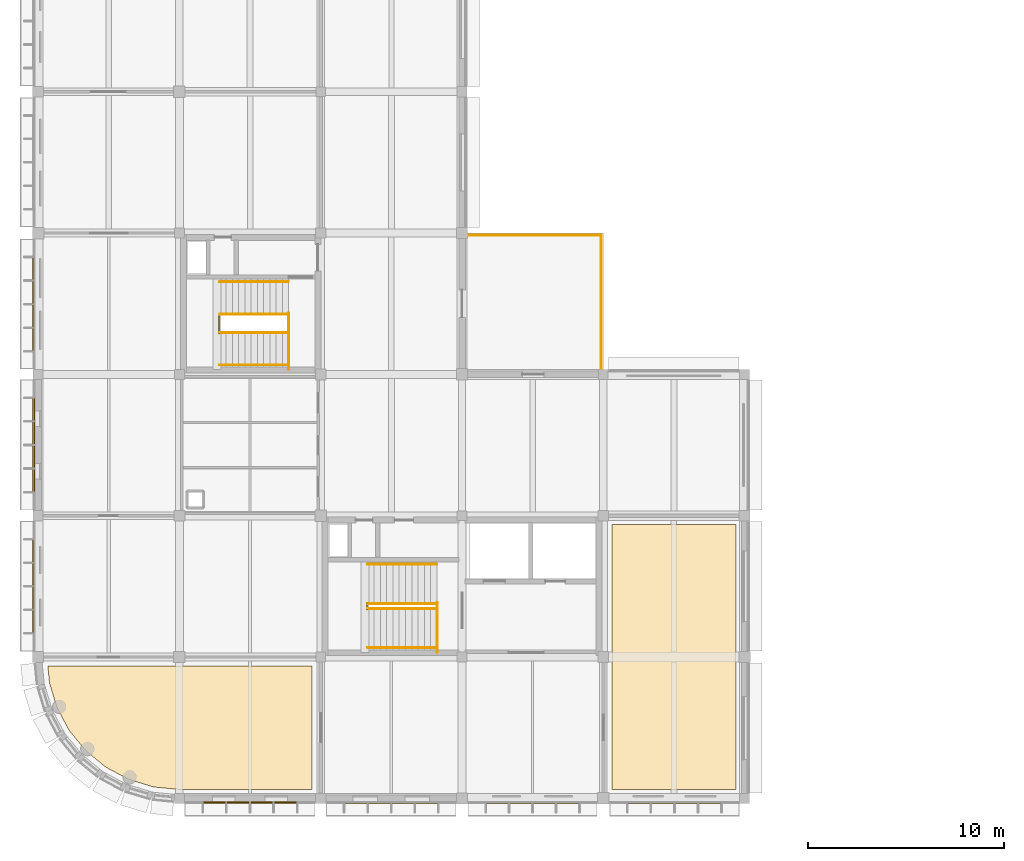
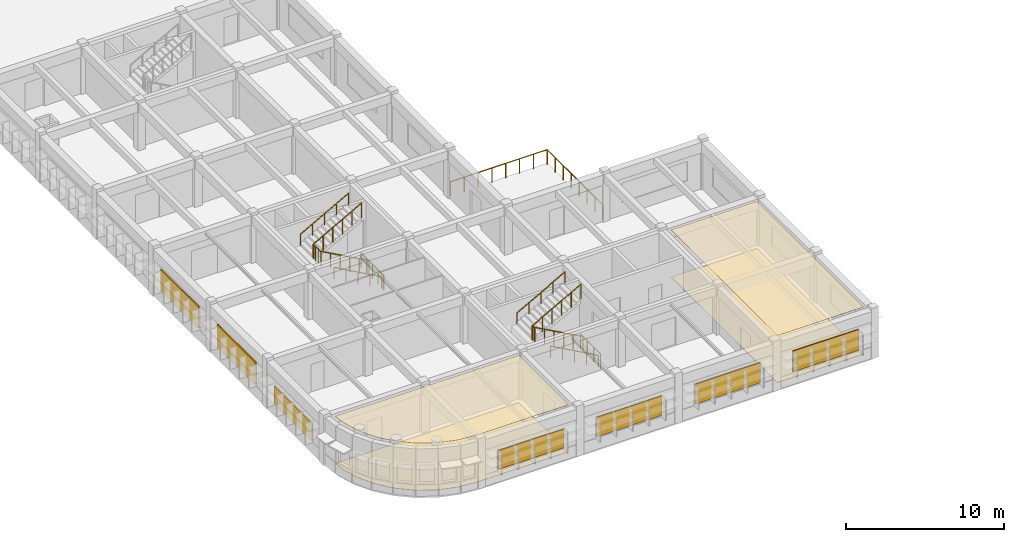
# One storey, part 20 of 22: 14 railings, 7 shading devices, 4 coverings.
"""IFC4 building model written with IfcOpenShell, lengths in metres."""

import ifcopenshell
import ifcopenshell.guid

model = None  # the IFC model being written
_history = None  # IfcOwnerHistory: only IFC2X3 demands one
_inside = {}  # id of a spatial element -> (the spatial element, [elements in it])
_under = {}  # id of a project, library or spatial element -> (it, [spatial elements below it])
_declared = {}  # id of a project -> (the project, [libraries it declares])
_typed = {}  # id of a type object -> (the type object, [elements of that type])
_made_of = {}  # id of a material, layer set ... -> (it, [elements and type objects made of it])


def new_model(schema):
    """Start an empty IFC model of exactly this schema.

    Asked for "IFC4X3", IfcOpenShell would pick the latest addendum, in which some entities
    have other attributes; the version numbers below select the first issue.
    IFC2X3 requires an IfcOwnerHistory on every rooted entity: one is made here for all.
    """
    global model, _history
    if schema == "IFC4X3":
        model = ifcopenshell.file(schema_version=(4, 3, 0, 0))
    else:
        model = ifcopenshell.file(schema=schema)
    _inside.clear()
    _under.clear()
    _declared.clear()
    _typed.clear()
    _made_of.clear()
    _history = None
    if model.schema == "IFC2X3":
        org = make("IfcOrganization", Name="unknown")
        user = make(
            "IfcPersonAndOrganization",
            ThePerson=make("IfcPerson", FamilyName="unknown"),
            TheOrganization=org,
        )
        app = make(
            "IfcApplication",
            ApplicationDeveloper=org,
            Version="unknown",
            ApplicationFullName="unknown",
            ApplicationIdentifier="unknown",
        )
        _history = make(
            "IfcOwnerHistory",
            OwningUser=user,
            OwningApplication=app,
            ChangeAction="ADDED",
            CreationDate=0,
        )
    return model


def make(cls, **values):
    """One entity of the class cls with the attributes given. An attribute that is None is left unset."""
    return model.create_entity(
        cls, **{name: value for name, value in values.items() if value is not None}
    )


def rooted(cls, **values):
    """An entity with a GlobalId (a new one), such as an element, a storey or a relation."""
    return make(cls, GlobalId=ifcopenshell.guid.new(), OwnerHistory=_history, **values)


def si_unit(unit_type, name, prefix=None):
    """IfcSIUnit, for example si_unit("LENGTHUNIT", "METRE", prefix="MILLI")."""
    return make("IfcSIUnit", UnitType=unit_type, Prefix=prefix, Name=name)


def assignment(units):
    """IfcUnitAssignment: the units of a project."""
    return None if units is None else make("IfcUnitAssignment", Units=units)


def point(xyz):
    """IfcCartesianPoint."""
    return None if xyz is None else make("IfcCartesianPoint", Coordinates=xyz)


def direction(xyz):
    """IfcDirection."""
    return None if xyz is None else make("IfcDirection", DirectionRatios=xyz)


def frame(location, z_axis=None, x_axis=None):
    """IfcAxis2Placement3D, a coordinate frame: its origin and axes. An axis left out is left unset."""
    return make(
        "IfcAxis2Placement3D",
        Location=point(location),
        Axis=direction(z_axis),
        RefDirection=direction(x_axis),
    )


def frame_2d(location, x_axis=None):
    """IfcAxis2Placement2D, a coordinate frame in the plane: its origin and x axis."""
    return make(
        "IfcAxis2Placement2D", Location=point(location), RefDirection=direction(x_axis)
    )


def origin():
    """The frame at (0, 0, 0) with its axes left unset."""
    return frame((0.0, 0.0, 0.0))


def origin_2d():
    """The frame at (0, 0) in the plane with its x axis left unset."""
    return frame_2d((0.0, 0.0))


def place(relative_to, where):
    """IfcLocalPlacement: puts the frame where relative to a parent placement (None: the world)."""
    return make(
        "IfcLocalPlacement", PlacementRelTo=relative_to, RelativePlacement=where
    )


def context(
    kind, dimensions, precision=None, world=None, true_north=None, identifier=None
):
    """IfcGeometricRepresentationContext, for example the 3D "Model" context."""
    return make(
        "IfcGeometricRepresentationContext",
        ContextIdentifier=identifier,
        ContextType=kind,
        CoordinateSpaceDimension=dimensions,
        Precision=precision,
        WorldCoordinateSystem=world,
        TrueNorth=true_north,
    )


def subcontext(parent, identifier, kind, view, scale=None):
    """IfcGeometricRepresentationSubContext, for example "Body" below "Model"."""
    return make(
        "IfcGeometricRepresentationSubContext",
        ContextIdentifier=identifier,
        ContextType=kind,
        ParentContext=parent,
        TargetScale=scale,
        TargetView=view,
    )


def project(units=None, contexts=None):
    """IfcProject with its units and contexts."""
    return rooted(
        "IfcProject",
        Name="project",
        RepresentationContexts=contexts,
        UnitsInContext=assignment(units),
    )


def spatial(cls, under=None, at=None, **own):
    """A site, building, storey or space (cls), placed at a placement, below another one or the project."""
    s = rooted(cls, ObjectPlacement=at, **own)
    if under is not None:
        _under.setdefault(under.id(), (under, []))[1].append(s)
    return s


def polyline(points):
    """IfcPolyline through the points."""
    return make("IfcPolyline", Points=[point(p) for p in points])


def profile(cls, at=None, kind="AREA", **sizes):
    """A parametric profile (cls). Its sizes go by their IFC names, for example OverallWidth=200.0."""
    return make(cls, ProfileType=kind, Position=at, **sizes)


def rectangle(**sizes):
    """IfcRectangleProfileDef."""
    return profile("IfcRectangleProfileDef", **sizes)


def circle(**sizes):
    """IfcCircleProfileDef."""
    return profile("IfcCircleProfileDef", **sizes)


def outline(outer, holes=None, kind="AREA"):
    """IfcArbitraryClosedProfileDef: a profile drawn as a closed curve; with holes, ...WithVoids."""
    if holes is None:
        return make("IfcArbitraryClosedProfileDef", ProfileType=kind, OuterCurve=outer)
    return make(
        "IfcArbitraryProfileDefWithVoids",
        ProfileType=kind,
        OuterCurve=outer,
        InnerCurves=holes,
    )


def extrude(swept, where, along, depth):
    """IfcExtrudedAreaSolid: the profile swept, set in the frame where, extruded along a direction by depth."""
    return make(
        "IfcExtrudedAreaSolid",
        SweptArea=swept,
        Position=where,
        ExtrudedDirection=direction(along),
        Depth=depth,
    )


def shape(context_of_items, identifier, shape_type, items):
    """IfcShapeRepresentation: the items that make up one representation, for example the "Body"."""
    return make(
        "IfcShapeRepresentation",
        ContextOfItems=context_of_items,
        RepresentationIdentifier=identifier,
        RepresentationType=shape_type,
        Items=items,
    )


def material(Name=None, Category=None):
    """IfcMaterial."""
    return make("IfcMaterial", Name=Name, Category=Category)


def layer(
    of_material, thickness, ventilated=None, Name=None, Category=None, Priority=None
):
    """IfcMaterialLayer: one layer of a wall or slab, of a material (None: an air gap)."""
    return make(
        "IfcMaterialLayer",
        Material=of_material,
        LayerThickness=thickness,
        IsVentilated=ventilated,
        Name=Name,
        Category=Category,
        Priority=Priority,
    )


def layer_set(layers, Name=None):
    """IfcMaterialLayerSet."""
    return make("IfcMaterialLayerSet", MaterialLayers=layers, LayerSetName=Name)


def made_of(thing, what):
    """Note that an element or type object is made of a material, layer set ...; save() writes the relation."""
    if what is not None:
        _made_of.setdefault(what.id(), (what, []))[1].append(thing)
    return thing


def type_object(cls, material=None, **own):
    """A type object (cls), such as IfcWallType, which elements share."""
    return made_of(rooted(cls, **own), material)


def element(
    cls,
    number,
    at=None,
    inside=None,
    cuts=None,
    type_object=None,
    material=None,
    context=None,
    identifier="Body",
    shape_type=None,
    held_by="IfcProductDefinitionShape",
    body=None,
    shapes=None,
    **own,
):
    """One element of the class cls, such as IfcWall. Its Tag is "e" and its number.

    at: its placement. inside: the storey or other place that contains it. cuts: it is an
    opening in that element (IfcRelVoidsElement). A single representation is given by context,
    identifier, shape_type and body (its items); several are given by shapes. held_by: the class
    of the entity that holds the representations. save() writes the other relations.
    """
    e = rooted(cls, Tag="e%d" % number, ObjectPlacement=at, **own)
    if body is not None:
        shapes = [shape(context, identifier, shape_type, body)]
    if shapes is not None:
        e.Representation = make(held_by, Representations=shapes)
    if inside is not None:
        _inside.setdefault(inside.id(), (inside, []))[1].append(e)
    if cuts is not None:
        rooted(
            "IfcRelVoidsElement", RelatingBuildingElement=cuts, RelatedOpeningElement=e
        )
    if type_object is not None:
        _typed.setdefault(type_object.id(), (type_object, []))[1].append(e)
    return made_of(e, material)


def aggregate(whole, parts):
    """IfcRelAggregates: a whole, such as a stair, and the parts it consists of."""
    return rooted("IfcRelAggregates", RelatingObject=whole, RelatedObjects=parts)


def save(model, path):
    """Write the relations noted so far, then the file.

    IfcRelAggregates (storeys below a building ...), IfcRelContainedInSpatialStructure (elements
    in a storey), IfcRelDefinesByType, IfcRelAssociatesMaterial and IfcRelDeclares: one each for
    every whole, place, type object, material and project.
    """
    for whole, parts in _under.values():
        aggregate(whole, parts)
    for where, things in _inside.values():
        rooted(
            "IfcRelContainedInSpatialStructure",
            RelatedElements=things,
            RelatingStructure=where,
        )
    for kind, things in _typed.values():
        rooted("IfcRelDefinesByType", RelatedObjects=things, RelatingType=kind)
    for what, things in _made_of.values():
        rooted("IfcRelAssociatesMaterial", RelatedObjects=things, RelatingMaterial=what)
    for by, libraries in _declared.values():
        rooted("IfcRelDeclares", RelatingContext=by, RelatedDefinitions=libraries)
    model.write(path)


model = new_model("IFC4")

# Units and contexts
model_context = context("Model", 3, precision=1e-05, world=origin(), true_north=direction((0.0, 1.0)))
body_context = subcontext(model_context, "Body", "Model", "MODEL_VIEW")
ifc_project = project(units=[si_unit("LENGTHUNIT", "METRE"), si_unit("AREAUNIT", "SQUARE_METRE"), si_unit("VOLUMEUNIT", "CUBIC_METRE"), si_unit("PLANEANGLEUNIT", "RADIAN"), si_unit("MASSUNIT", "GRAM", prefix="KILO")], contexts=[model_context])

# Site, building, storey
site_placement = place(None, origin())
site = spatial("IfcSite", under=ifc_project, at=site_placement, CompositionType="ELEMENT")
building_placement = place(site_placement, origin())
building = spatial("IfcBuilding", under=site, at=building_placement, Name="Thalmaran Polytechnic", CompositionType="ELEMENT")
storey_placement = place(building_placement, frame((0.0, 0.0, 22.800048828125)))
storey = spatial("IfcBuildingStorey", under=building, at=storey_placement, Name="L05", CompositionType="ELEMENT", Elevation=22.800048828125)

# Coverings
ifc_material_1 = material(Name="Acoustic mineral fibre ceiling")
ifc_layer_1 = layer(ifc_material_1, 0.02490234375, Name="Acoustic mineral fibre ceiling")
ifc_layer_set_1 = layer_set([ifc_layer_1], Name="Acoustic mineral fibre ceiling")
covering_type_1 = type_object("IfcCoveringType", Name="CV-CL01", PredefinedType="CEILING", material=ifc_layer_set_1)
covering_1_placement = place(storey_placement, frame((0.0, 0.0, 3.64501953125)))
element("IfcCovering", 1, at=covering_1_placement, inside=storey, type_object=covering_type_1, Name="Structural Models Design Studio L05-01 Acoustic Ceiling", PredefinedType="CEILING", context=body_context, shape_type="SweptSolid", body=[
    extrude(outline(polyline([(5.883544921875, 0.581787109375), (4.61767578125, 0.9658203125), (3.451171875, 1.58935546875), (2.428466796875, 2.428466796875), (1.58935546875, 3.451171875), (0.9658203125, 4.61767578125), (0.581787109375, 5.883544921875), (0.49658203125, 6.75), (13.949951171875, 6.75), (13.949951171875, 0.449951171875), (7.22216796875, 0.449951171875), (5.883544921875, 0.581787109375)])), origin(), (0.0, 0.0, 1.0), 0.02490234375),
])
covering_2_placement = place(storey_placement, frame((0.0, 0.0, 3.64501953125)))
element("IfcCovering", 2, at=covering_2_placement, inside=storey, type_object=covering_type_1, Name="Environmental Engineering Laboratory L05-02 Acoustic Ceiling", PredefinedType="CEILING", context=body_context, shape_type="SweptSolid", body=[
    extrude(outline(polyline([(35.550048828125, 0.449951171875), (29.25, 0.449951171875), (29.25, 13.949951171875), (35.550048828125, 13.949951171875), (35.550048828125, 0.449951171875)])), origin(), (0.0, 0.0, 1.0), 0.02490234375),
])
ifc_material_2 = material(Name="Polished terrazzo and epoxy lab flooring")
ifc_layer_2 = layer(ifc_material_2, 0.02001953125, Name="Polished terrazzo and epoxy lab flooring")
ifc_layer_set_2 = layer_set([ifc_layer_2], Name="Polished terrazzo and epoxy lab flooring")
covering_type_2 = type_object("IfcCoveringType", Name="CV-FL01", PredefinedType="FLOORING", material=ifc_layer_set_2)
covering_3_placement = place(storey_placement, origin())
element("IfcCovering", 3, at=covering_3_placement, inside=storey, type_object=covering_type_2, Name="Structural Models Design Studio L05-01 Specialist Finish Flooring", PredefinedType="FLOORING", context=body_context, shape_type="SweptSolid", body=[
    extrude(outline(polyline([(5.883544921875, 0.581787109375), (4.61767578125, 0.9658203125), (3.451171875, 1.58935546875), (2.428466796875, 2.428466796875), (1.58935546875, 3.451171875), (0.9658203125, 4.61767578125), (0.581787109375, 5.883544921875), (0.49658203125, 6.75), (13.949951171875, 6.75), (13.949951171875, 0.449951171875), (7.22216796875, 0.449951171875), (5.883544921875, 0.581787109375)])), origin(), (0.0, 0.0, 1.0), 0.02001953125),
])
covering_4_placement = place(storey_placement, origin())
element("IfcCovering", 4, at=covering_4_placement, inside=storey, type_object=covering_type_2, Name="Environmental Engineering Laboratory L05-02 Specialist Finish Flooring", PredefinedType="FLOORING", context=body_context, shape_type="SweptSolid", body=[
    extrude(outline(polyline([(35.550048828125, 0.449951171875), (29.25, 0.449951171875), (29.25, 13.949951171875), (35.550048828125, 13.949951171875), (35.550048828125, 0.449951171875)])), origin(), (0.0, 0.0, 1.0), 0.02001953125),
])

# Railings
ifc_material_3 = material(Name="Stainless steel 316 and laminated glass", Category="steel")
railing_type_1 = type_object("IfcRailingType", Name="RL-BL01", PredefinedType="BALUSTRADE", material=ifc_material_3)
railing_1_placement = place(storey_placement, frame((21.610107421875, 28.699951171875, 0.0)))
element("IfcRailing", 5, at=railing_1_placement, inside=storey, type_object=railing_type_1, Name="Terrace Balustrade Guard L05-1-3", PredefinedType="BALUSTRADE", context=body_context, shape_type="SweptSolid", body=[
    extrude(circle(Radius=0.02392578125, at=origin_2d()), frame((0.0, 0.0, 1.1259765625), z_axis=(1.0, 0.0, 0.0), x_axis=(0.0, 1.0, 0.0)), (0.0, 0.0, 1.0), 7.08984375),
    extrude(circle(Radius=0.02099609375, at=origin_2d()), origin(), (0.0, 0.0, 1.0), 1.101806640625),
    extrude(circle(Radius=0.02099609375, at=origin_2d()), frame((1.012939453125, 0.0, 0.0)), (0.0, 0.0, 1.0), 1.101806640625),
    extrude(circle(Radius=0.02099609375, at=origin_2d()), frame((2.025634765625, 0.0, 0.0)), (0.0, 0.0, 1.0), 1.101806640625),
    extrude(circle(Radius=0.02099609375, at=origin_2d()), frame((3.03857421875, 0.0, 0.0)), (0.0, 0.0, 1.0), 1.101806640625),
    extrude(circle(Radius=0.02099609375, at=origin_2d()), frame((4.05126953125, 0.0, 0.0)), (0.0, 0.0, 1.0), 1.101806640625),
    extrude(circle(Radius=0.02099609375, at=origin_2d()), frame((5.064208984375, 0.0, 0.0)), (0.0, 0.0, 1.0), 1.101806640625),
    extrude(circle(Radius=0.02099609375, at=origin_2d()), frame((6.076904296875, 0.0, 0.0)), (0.0, 0.0, 1.0), 1.101806640625),
    extrude(circle(Radius=0.02099609375, at=origin_2d()), frame((7.08984375, 0.0, 0.0)), (0.0, 0.0, 1.0), 1.101806640625),
])
railing_2_placement = place(storey_placement, frame((28.699951171875, 28.699951171875, 0.0)))
element("IfcRailing", 6, at=railing_2_placement, inside=storey, type_object=railing_type_1, Name="Terrace Balustrade Guard L05-1-4", PredefinedType="BALUSTRADE", context=body_context, shape_type="SweptSolid", body=[
    extrude(circle(Radius=0.02392578125, at=origin_2d()), frame((0.0, 0.0, 1.1259765625), z_axis=(0.0, -1.0, 0.0), x_axis=(1.0, 0.0, 0.0)), (0.0, 0.0, 1.0), 7.08984375),
    extrude(circle(Radius=0.02099609375, at=origin_2d()), origin(), (0.0, 0.0, 1.0), 1.101806640625),
    extrude(circle(Radius=0.02099609375, at=origin_2d()), frame((0.0, -1.012939453125, 0.0)), (0.0, 0.0, 1.0), 1.101806640625),
    extrude(circle(Radius=0.02099609375, at=origin_2d()), frame((0.0, -2.025634765625, 0.0)), (0.0, 0.0, 1.0), 1.101806640625),
    extrude(circle(Radius=0.02099609375, at=origin_2d()), frame((0.0, -3.03857421875, 0.0)), (0.0, 0.0, 1.0), 1.101806640625),
    extrude(circle(Radius=0.02099609375, at=origin_2d()), frame((0.0, -4.05126953125, 0.0)), (0.0, 0.0, 1.0), 1.101806640625),
    extrude(circle(Radius=0.02099609375, at=origin_2d()), frame((0.0, -5.064208984375, 0.0)), (0.0, 0.0, 1.0), 1.101806640625),
    extrude(circle(Radius=0.02099609375, at=origin_2d()), frame((0.0, -6.076904296875, 0.0)), (0.0, 0.0, 1.0), 1.101806640625),
    extrude(circle(Radius=0.02099609375, at=origin_2d()), frame((0.0, -7.08984375, 0.0)), (0.0, 0.0, 1.0), 1.101806640625),
])
ifc_material_4 = material(Name="Stainless steel 316", Category="steel")
railing_type_2 = type_object("IfcRailingType", Name="RL-GR01", PredefinedType="GUARDRAIL", material=ifc_material_4)
railing_3_placement = place(storey_placement, frame((20.330078125, 7.449951171875, 0.0)))
element("IfcRailing", 7, at=railing_3_placement, inside=storey, type_object=railing_type_2, Name="ST1 L05 Landing Edge Guardrail", PredefinedType="GUARDRAIL", context=body_context, shape_type="SweptSolid", body=[
    extrude(circle(Radius=0.02392578125, at=origin_2d()), frame((0.0, 0.0, 1.1259765625), z_axis=(0.0, 1.0, 0.0), x_axis=(-1.0, 0.0, 0.0)), (0.0, 0.0, 1.0), 2.530029296875),
    extrude(circle(Radius=0.02099609375, at=origin_2d()), origin(), (0.0, 0.0, 1.0), 1.101806640625),
    extrude(circle(Radius=0.02099609375, at=origin_2d()), frame((0.0, 0.84326171875, 0.0)), (0.0, 0.0, 1.0), 1.101806640625),
    extrude(circle(Radius=0.02099609375, at=origin_2d()), frame((0.0, 1.686767578125, 0.0)), (0.0, 0.0, 1.0), 1.101806640625),
    extrude(circle(Radius=0.02099609375, at=origin_2d()), frame((0.0, 2.530029296875, 0.0)), (0.0, 0.0, 1.0), 1.101806640625),
])
railing_4_placement = place(storey_placement, frame((20.320068359375, 9.659912109375, 0.0)))
element("IfcRailing", 8, at=railing_4_placement, inside=storey, type_object=railing_type_2, Name="ST1 L05 Lower Flight Guardrail", PredefinedType="GUARDRAIL", context=body_context, shape_type="SweptSolid", body=[
    extrude(circle(Radius=0.02392578125, at=origin_2d()), frame((0.0, 0.0, 1.1259765625), z_axis=(-0.874749022873, 0.0, 0.484576255076), x_axis=(0.0, -1.0, 0.0)), (0.0, 0.0, 1.0), 4.02392578125),
    extrude(circle(Radius=0.02099609375, at=origin_2d()), origin(), (0.0, 0.0, 1.0), 1.101806640625),
    extrude(circle(Radius=0.02099609375, at=origin_2d()), frame((-0.7041015625, 0.0, 0.389892578125)), (0.0, 0.0, 1.0), 1.101806640625),
    extrude(circle(Radius=0.02099609375, at=origin_2d()), frame((-1.407958984375, 0.0, 0.780029296875)), (0.0, 0.0, 1.0), 1.101806640625),
    extrude(circle(Radius=0.02099609375, at=origin_2d()), frame((-2.112060546875, 0.0, 1.169921875)), (0.0, 0.0, 1.0), 1.101806640625),
    extrude(circle(Radius=0.02099609375, at=origin_2d()), frame((-2.81591796875, 0.0, 1.56005859375)), (0.0, 0.0, 1.0), 1.101806640625),
    extrude(circle(Radius=0.02099609375, at=origin_2d()), frame((-3.52001953125, 0.0, 1.949951171875)), (0.0, 0.0, 1.0), 1.101806640625),
])
railing_5_placement = place(storey_placement, frame((16.760009765625, 9.639892578125, 1.949951171875)))
element("IfcRailing", 9, at=railing_5_placement, inside=storey, type_object=railing_type_2, Name="ST1 L05 Half-Landing Well Guardrail", PredefinedType="GUARDRAIL", context=body_context, shape_type="SweptSolid", body=[
    extrude(circle(Radius=0.02392578125, at=origin_2d()), frame((0.0, 0.0, 1.1259765625), z_axis=(0.0, 1.0, 0.0), x_axis=(-1.0, 0.0, 0.0)), (0.0, 0.0, 1.0), 0.300048828125),
    extrude(circle(Radius=0.02099609375, at=origin_2d()), origin(), (0.0, 0.0, 1.0), 1.101806640625),
    extrude(circle(Radius=0.02099609375, at=origin_2d()), frame((0.0, 0.300048828125, 0.0)), (0.0, 0.0, 1.0), 1.101806640625),
])
railing_6_placement = place(storey_placement, frame((16.800048828125, 9.919921875, 1.949951171875)))
element("IfcRailing", 10, at=railing_6_placement, inside=storey, type_object=railing_type_2, Name="ST1 L05 Upper Flight Guardrail", PredefinedType="GUARDRAIL", context=body_context, shape_type="SweptSolid", body=[
    extrude(circle(Radius=0.02392578125, at=origin_2d()), frame((0.0, 0.0, 1.1259765625), z_axis=(0.874749022873, 0.0, 0.484576255076), x_axis=(0.0, 1.0, 0.0)), (0.0, 0.0, 1.0), 4.02392578125),
    extrude(circle(Radius=0.02099609375, at=origin_2d()), origin(), (0.0, 0.0, 1.0), 1.101806640625),
    extrude(circle(Radius=0.02099609375, at=origin_2d()), frame((0.7041015625, 0.0, 0.389892578125)), (0.0, 0.0, 1.0), 1.101806640625),
    extrude(circle(Radius=0.02099609375, at=origin_2d()), frame((1.407958984375, 0.0, 0.780029296875)), (0.0, 0.0, 1.0), 1.101806640625),
    extrude(circle(Radius=0.02099609375, at=origin_2d()), frame((2.112060546875, 0.0, 1.169921875)), (0.0, 0.0, 1.0), 1.101806640625),
    extrude(circle(Radius=0.02099609375, at=origin_2d()), frame((2.81591796875, 0.0, 1.56005859375)), (0.0, 0.0, 1.0), 1.101806640625),
    extrude(circle(Radius=0.02099609375, at=origin_2d()), frame((3.52001953125, 0.0, 1.949951171875)), (0.0, 0.0, 1.0), 1.101806640625),
])
railing_7_placement = place(storey_placement, frame((12.77001953125, 21.85009765625, 0.0)))
element("IfcRailing", 11, at=railing_7_placement, inside=storey, type_object=railing_type_2, Name="ST3 L05 Landing Edge Guardrail", PredefinedType="GUARDRAIL", context=body_context, shape_type="SweptSolid", body=[
    extrude(circle(Radius=0.02392578125, at=origin_2d()), frame((0.0, 0.0, 1.1259765625), z_axis=(0.0, 1.0, 0.0), x_axis=(-1.0, 0.0, 0.0)), (0.0, 0.0, 1.0), 2.869873046875),
    extrude(circle(Radius=0.02099609375, at=origin_2d()), origin(), (0.0, 0.0, 1.0), 1.101806640625),
    extrude(circle(Radius=0.02099609375, at=origin_2d()), frame((0.0, 0.717529296875, 0.0)), (0.0, 0.0, 1.0), 1.101806640625),
    extrude(circle(Radius=0.02099609375, at=origin_2d()), frame((0.0, 1.43505859375, 0.0)), (0.0, 0.0, 1.0), 1.101806640625),
    extrude(circle(Radius=0.02099609375, at=origin_2d()), frame((0.0, 2.15234375, 0.0)), (0.0, 0.0, 1.0), 1.101806640625),
    extrude(circle(Radius=0.02099609375, at=origin_2d()), frame((0.0, 2.869873046875, 0.0)), (0.0, 0.0, 1.0), 1.101806640625),
])
railing_8_placement = place(storey_placement, frame((12.760009765625, 23.719970703125, 0.0)))
element("IfcRailing", 12, at=railing_8_placement, inside=storey, type_object=railing_type_2, Name="ST3 L05 Lower Flight Guardrail", PredefinedType="GUARDRAIL", context=body_context, shape_type="SweptSolid", body=[
    extrude(circle(Radius=0.02392578125, at=origin_2d()), frame((0.0, 0.0, 1.1259765625), z_axis=(-0.873573157803, 0.0, 0.486692857936), x_axis=(0.0, -1.0, 0.0)), (0.0, 0.0, 1.0), 4.006591796875),
    extrude(circle(Radius=0.02099609375, at=origin_2d()), origin(), (0.0, 0.0, 1.0), 1.101806640625),
    extrude(circle(Radius=0.02099609375, at=origin_2d()), frame((-0.699951171875, 0.0, 0.389892578125)), (0.0, 0.0, 1.0), 1.101806640625),
    extrude(circle(Radius=0.02099609375, at=origin_2d()), frame((-1.39990234375, 0.0, 0.780029296875)), (0.0, 0.0, 1.0), 1.101806640625),
    extrude(circle(Radius=0.02099609375, at=origin_2d()), frame((-2.10009765625, 0.0, 1.169921875)), (0.0, 0.0, 1.0), 1.101806640625),
    extrude(circle(Radius=0.02099609375, at=origin_2d()), frame((-2.800048828125, 0.0, 1.56005859375)), (0.0, 0.0, 1.0), 1.101806640625),
    extrude(circle(Radius=0.02099609375, at=origin_2d()), frame((-3.5, 0.0, 1.949951171875)), (0.0, 0.0, 1.0), 1.101806640625),
])
railing_9_placement = place(storey_placement, frame((9.219970703125, 23.699951171875, 1.949951171875)))
element("IfcRailing", 13, at=railing_9_placement, inside=storey, type_object=railing_type_2, Name="ST3 L05 Half-Landing Well Guardrail", PredefinedType="GUARDRAIL", context=body_context, shape_type="SweptSolid", body=[
    extrude(circle(Radius=0.02392578125, at=origin_2d()), frame((0.0, 0.0, 1.1259765625), z_axis=(0.0, 1.0, 0.0), x_axis=(-1.0, 0.0, 0.0)), (0.0, 0.0, 1.0), 0.97998046875),
    extrude(circle(Radius=0.02099609375, at=origin_2d()), origin(), (0.0, 0.0, 1.0), 1.101806640625),
    extrude(circle(Radius=0.02099609375, at=origin_2d()), frame((0.0, 0.32666015625, 0.0)), (0.0, 0.0, 1.0), 1.101806640625),
    extrude(circle(Radius=0.02099609375, at=origin_2d()), frame((0.0, 0.6533203125, 0.0)), (0.0, 0.0, 1.0), 1.101806640625),
    extrude(circle(Radius=0.02099609375, at=origin_2d()), frame((0.0, 0.97998046875, 0.0)), (0.0, 0.0, 1.0), 1.101806640625),
])
railing_10_placement = place(storey_placement, frame((9.260009765625, 24.659912109375, 1.949951171875)))
element("IfcRailing", 14, at=railing_10_placement, inside=storey, type_object=railing_type_2, Name="ST3 L05 Upper Flight Guardrail", PredefinedType="GUARDRAIL", context=body_context, shape_type="SweptSolid", body=[
    extrude(circle(Radius=0.02392578125, at=origin_2d()), frame((0.0, 0.0, 1.1259765625), z_axis=(0.873573157803, 0.0, 0.486692857936), x_axis=(0.0, 1.0, 0.0)), (0.0, 0.0, 1.0), 4.006591796875),
    extrude(circle(Radius=0.02099609375, at=origin_2d()), origin(), (0.0, 0.0, 1.0), 1.101806640625),
    extrude(circle(Radius=0.02099609375, at=origin_2d()), frame((0.699951171875, 0.0, 0.389892578125)), (0.0, 0.0, 1.0), 1.101806640625),
    extrude(circle(Radius=0.02099609375, at=origin_2d()), frame((1.39990234375, 0.0, 0.780029296875)), (0.0, 0.0, 1.0), 1.101806640625),
    extrude(circle(Radius=0.02099609375, at=origin_2d()), frame((2.10009765625, 0.0, 1.169921875)), (0.0, 0.0, 1.0), 1.101806640625),
    extrude(circle(Radius=0.02099609375, at=origin_2d()), frame((2.800048828125, 0.0, 1.56005859375)), (0.0, 0.0, 1.0), 1.101806640625),
    extrude(circle(Radius=0.02099609375, at=origin_2d()), frame((3.5, 0.0, 1.949951171875)), (0.0, 0.0, 1.0), 1.101806640625),
])
railing_type_3 = type_object("IfcRailingType", Name="RL-HR01", PredefinedType="HANDRAIL", material=ifc_material_4)
railing_11_placement = place(storey_placement, frame((20.320068359375, 7.679931640625, 0.0)))
element("IfcRailing", 15, at=railing_11_placement, inside=storey, type_object=railing_type_3, Name="ST1 L05 Flight 1 Handrail", PredefinedType="HANDRAIL", context=body_context, shape_type="SweptSolid", body=[
    extrude(circle(Radius=0.02392578125, at=origin_2d()), frame((0.0, 0.0, 0.8759765625), z_axis=(-0.874749022873, 0.0, 0.484576255076), x_axis=(0.0, -1.0, 0.0)), (0.0, 0.0, 1.0), 4.02392578125),
    extrude(circle(Radius=0.02099609375, at=origin_2d()), origin(), (0.0, 0.0, 1.0), 0.851806640625),
    extrude(circle(Radius=0.02099609375, at=origin_2d()), frame((-0.8798828125, 0.0, 0.487548828125)), (0.0, 0.0, 1.0), 0.851806640625),
    extrude(circle(Radius=0.02099609375, at=origin_2d()), frame((-1.760009765625, 0.0, 0.97509765625)), (0.0, 0.0, 1.0), 0.851806640625),
    extrude(circle(Radius=0.02099609375, at=origin_2d()), frame((-2.64013671875, 0.0, 1.46240234375)), (0.0, 0.0, 1.0), 0.851806640625),
    extrude(circle(Radius=0.02099609375, at=origin_2d()), frame((-3.52001953125, 0.0, 1.949951171875)), (0.0, 0.0, 1.0), 0.851806640625),
])
railing_12_placement = place(storey_placement, frame((16.800048828125, 11.919921875, 1.949951171875)))
element("IfcRailing", 16, at=railing_12_placement, inside=storey, type_object=railing_type_3, Name="ST1 L05 Flight 2 Handrail", PredefinedType="HANDRAIL", context=body_context, shape_type="SweptSolid", body=[
    extrude(circle(Radius=0.02392578125, at=origin_2d()), frame((0.0, 0.0, 0.8759765625), z_axis=(0.874749022873, 0.0, 0.484576255076), x_axis=(0.0, 1.0, 0.0)), (0.0, 0.0, 1.0), 4.02392578125),
    extrude(circle(Radius=0.02099609375, at=origin_2d()), origin(), (0.0, 0.0, 1.0), 0.851806640625),
    extrude(circle(Radius=0.02099609375, at=origin_2d()), frame((0.8798828125, 0.0, 0.487548828125)), (0.0, 0.0, 1.0), 0.851806640625),
    extrude(circle(Radius=0.02099609375, at=origin_2d()), frame((1.760009765625, 0.0, 0.97509765625)), (0.0, 0.0, 1.0), 0.851806640625),
    extrude(circle(Radius=0.02099609375, at=origin_2d()), frame((2.64013671875, 0.0, 1.46240234375)), (0.0, 0.0, 1.0), 0.851806640625),
    extrude(circle(Radius=0.02099609375, at=origin_2d()), frame((3.52001953125, 0.0, 1.949951171875)), (0.0, 0.0, 1.0), 0.851806640625),
])
railing_13_placement = place(storey_placement, frame((12.760009765625, 22.080078125, 0.0)))
element("IfcRailing", 17, at=railing_13_placement, inside=storey, type_object=railing_type_3, Name="ST3 L05 Flight 1 Handrail", PredefinedType="HANDRAIL", context=body_context, shape_type="SweptSolid", body=[
    extrude(circle(Radius=0.02392578125, at=origin_2d()), frame((0.0, 0.0, 0.8759765625), z_axis=(-0.873573157803, 0.0, 0.486692857936), x_axis=(0.0, -1.0, 0.0)), (0.0, 0.0, 1.0), 4.006591796875),
    extrude(circle(Radius=0.02099609375, at=origin_2d()), origin(), (0.0, 0.0, 1.0), 0.851806640625),
    extrude(circle(Radius=0.02099609375, at=origin_2d()), frame((-0.875, 0.0, 0.487548828125)), (0.0, 0.0, 1.0), 0.851806640625),
    extrude(circle(Radius=0.02099609375, at=origin_2d()), frame((-1.75, 0.0, 0.97509765625)), (0.0, 0.0, 1.0), 0.851806640625),
    extrude(circle(Radius=0.02099609375, at=origin_2d()), frame((-2.625, 0.0, 1.46240234375)), (0.0, 0.0, 1.0), 0.851806640625),
    extrude(circle(Radius=0.02099609375, at=origin_2d()), frame((-3.5, 0.0, 1.949951171875)), (0.0, 0.0, 1.0), 0.851806640625),
])
railing_14_placement = place(storey_placement, frame((9.260009765625, 26.320068359375, 1.949951171875)))
element("IfcRailing", 18, at=railing_14_placement, inside=storey, type_object=railing_type_3, Name="ST3 L05 Flight 2 Handrail", PredefinedType="HANDRAIL", context=body_context, shape_type="SweptSolid", body=[
    extrude(circle(Radius=0.02392578125, at=origin_2d()), frame((0.0, 0.0, 0.8759765625), z_axis=(0.873573157803, 0.0, 0.486692857936), x_axis=(0.0, 1.0, 0.0)), (0.0, 0.0, 1.0), 4.006591796875),
    extrude(circle(Radius=0.02099609375, at=origin_2d()), origin(), (0.0, 0.0, 1.0), 0.851806640625),
    extrude(circle(Radius=0.02099609375, at=origin_2d()), frame((0.875, 0.0, 0.487548828125)), (0.0, 0.0, 1.0), 0.851806640625),
    extrude(circle(Radius=0.02099609375, at=origin_2d()), frame((1.75, 0.0, 0.97509765625)), (0.0, 0.0, 1.0), 0.851806640625),
    extrude(circle(Radius=0.02099609375, at=origin_2d()), frame((2.625, 0.0, 1.46240234375)), (0.0, 0.0, 1.0), 0.851806640625),
    extrude(circle(Radius=0.02099609375, at=origin_2d()), frame((3.5, 0.0, 1.949951171875)), (0.0, 0.0, 1.0), 0.851806640625),
])

# Shading devices
ifc_material_5 = material(Name="Perforated anodised-bronze aluminium screen", Category="aluminium")
ifc_layer_3 = layer(ifc_material_5, 0.080078125, Name="Perforated anodised-bronze aluminium screen")
ifc_layer_set_3 = layer_set([ifc_layer_3], Name="Perforated anodised-bronze aluminium screen")
shading_device_type = type_object("IfcShadingDeviceType", Name="SH-JL01", PredefinedType="JALOUSIE", material=ifc_layer_set_3)
shading_device_1_placement = place(storey_placement, frame((-0.219970703125, 10.800048828125, 1.02490234375), z_axis=(0.0, 0.0, 1.0), x_axis=(0.0, 1.0, 0.0)))
element("IfcShadingDevice", 19, at=shading_device_1_placement, inside=storey, type_object=shading_device_type, Name="Anodised-Bronze Mashrabiya Solar Screen L05-040", PredefinedType="JALOUSIE", context=body_context, shape_type="SweptSolid", body=[
    extrude(rectangle(XDim=4.798828125, YDim=0.080078125, at=origin_2d()), origin(), (0.0, 0.0, 1.0), 1.35009765625),
])
shading_device_2_placement = place(storey_placement, frame((-0.219970703125, 18.0, 1.02490234375), z_axis=(0.0, 0.0, 1.0), x_axis=(0.0, 1.0, 0.0)))
element("IfcShadingDevice", 20, at=shading_device_2_placement, inside=storey, type_object=shading_device_type, Name="Anodised-Bronze Mashrabiya Solar Screen L05-041", PredefinedType="JALOUSIE", context=body_context, shape_type="SweptSolid", body=[
    extrude(rectangle(XDim=4.81689453125, YDim=0.080078125, at=origin_2d()), origin(), (0.0, 0.0, 1.0), 1.75),
])
shading_device_3_placement = place(storey_placement, frame((-0.219970703125, 25.199951171875, 1.02490234375), z_axis=(0.0, 0.0, 1.0), x_axis=(0.0, 1.0, 0.0)))
element("IfcShadingDevice", 21, at=shading_device_3_placement, inside=storey, type_object=shading_device_type, Name="Anodised-Bronze Mashrabiya Solar Screen L05-042", PredefinedType="JALOUSIE", context=body_context, shape_type="SweptSolid", body=[
    extrude(rectangle(XDim=4.795166015625, YDim=0.080078125, at=origin_2d()), origin(), (0.0, 0.0, 1.0), 1.64990234375),
])
shading_device_4_placement = place(storey_placement, frame((32.39990234375, -0.219970703125, 1.02490234375), z_axis=(0.0, 0.0, 1.0), x_axis=(-1.0, 0.0, 0.0)))
element("IfcShadingDevice", 22, at=shading_device_4_placement, inside=storey, type_object=shading_device_type, Name="Anodised-Bronze Mashrabiya Solar Screen L05-058", PredefinedType="JALOUSIE", context=body_context, shape_type="SweptSolid", body=[
    extrude(rectangle(XDim=4.795166015625, YDim=0.080078125, at=origin_2d()), origin(), (0.0, 0.0, 1.0), 1.60009765625),
])
shading_device_5_placement = place(storey_placement, frame((25.199951171875, -0.219970703125, 1.02490234375), z_axis=(0.0, 0.0, 1.0), x_axis=(-1.0, 0.0, 0.0)))
element("IfcShadingDevice", 23, at=shading_device_5_placement, inside=storey, type_object=shading_device_type, Name="Anodised-Bronze Mashrabiya Solar Screen L05-059", PredefinedType="JALOUSIE", context=body_context, shape_type="SweptSolid", body=[
    extrude(rectangle(XDim=4.777099609375, YDim=0.080078125, at=origin_2d()), origin(), (0.0, 0.0, 1.0), 1.550048828125),
])
shading_device_6_placement = place(storey_placement, frame((18.0, -0.219970703125, 1.02490234375), z_axis=(0.0, 0.0, 1.0), x_axis=(-1.0, 0.0, 0.0)))
element("IfcShadingDevice", 24, at=shading_device_6_placement, inside=storey, type_object=shading_device_type, Name="Anodised-Bronze Mashrabiya Solar Screen L05-060", PredefinedType="JALOUSIE", context=body_context, shape_type="SweptSolid", body=[
    extrude(rectangle(XDim=4.798828125, YDim=0.080078125, at=origin_2d()), origin(), (0.0, 0.0, 1.0), 1.5),
])
shading_device_7_placement = place(storey_placement, frame((10.800048828125, -0.219970703125, 1.02490234375), z_axis=(0.0, 0.0, 1.0), x_axis=(-1.0, 0.0, 0.0)))
element("IfcShadingDevice", 25, at=shading_device_7_placement, inside=storey, type_object=shading_device_type, Name="Anodised-Bronze Mashrabiya Solar Screen L05-061", PredefinedType="JALOUSIE", context=body_context, shape_type="SweptSolid", body=[
    extrude(rectangle(XDim=4.81689453125, YDim=0.080078125, at=origin_2d()), origin(), (0.0, 0.0, 1.0), 1.449951171875),
])

save(model, "model.ifc")
